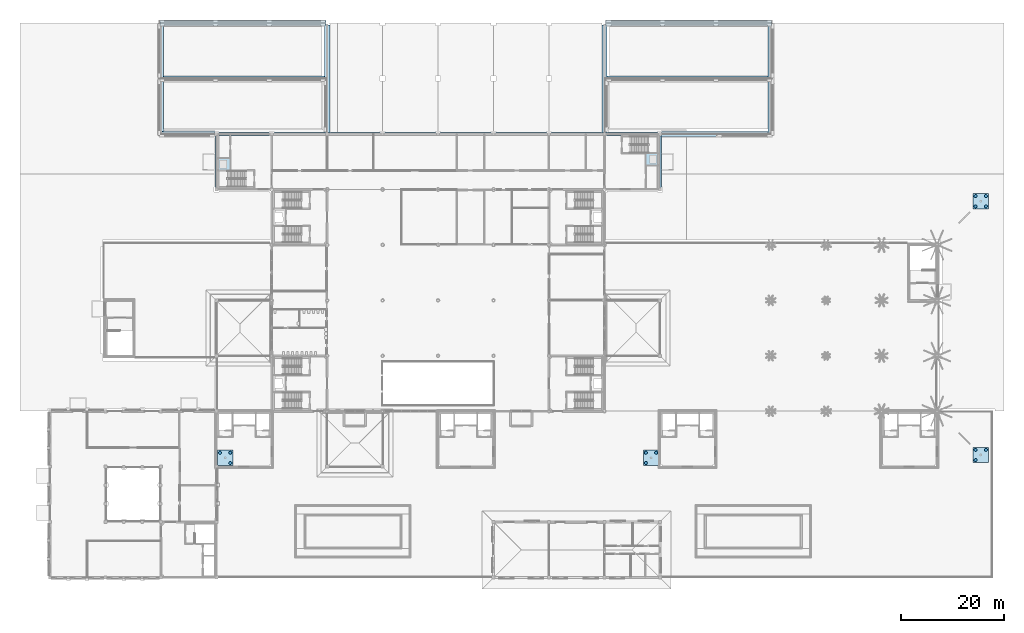
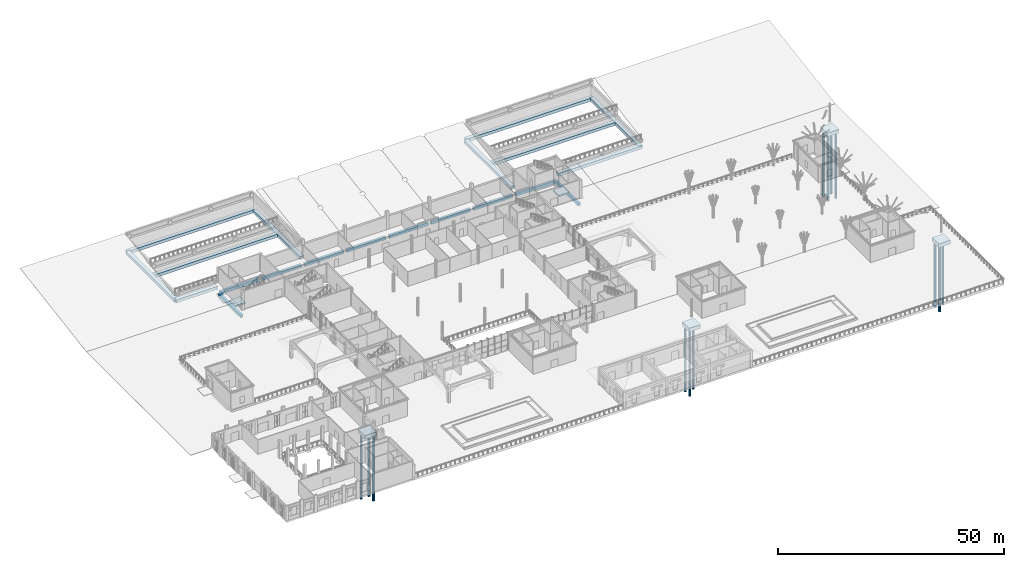
# One storey, part 1 of 91: 26 footings, 13 piles.
"""IFC4 building model written with IfcOpenShell, lengths in metres."""

from ifc_helpers import new_model, si_unit, direction, frame, origin, origin_2d, place, context, subcontext, project, spatial, polyline, rectangle, circle, outline, extrude, material, layer, layer_set, material_profile, profile_set, type_object, element, save


model = new_model("IFC4")

# Units and contexts
model_context = context("Model", 3, precision=1e-05, world=origin(), true_north=direction((0.0, 1.0)))
body_context = subcontext(model_context, "Body", "Model", "MODEL_VIEW")
ifc_project = project(units=[si_unit("LENGTHUNIT", "METRE"), si_unit("AREAUNIT", "SQUARE_METRE"), si_unit("VOLUMEUNIT", "CUBIC_METRE"), si_unit("PLANEANGLEUNIT", "RADIAN"), si_unit("MASSUNIT", "GRAM", prefix="KILO")], contexts=[model_context])

# Site, building, storey
site_placement = place(None, origin())
site = spatial("IfcSite", under=ifc_project, at=site_placement, CompositionType="ELEMENT")
building_placement = place(site_placement, origin())
building = spatial("IfcBuilding", under=site, at=building_placement, Name="Magnolia Steps Interchange", CompositionType="ELEMENT")
storey_placement = place(building_placement, origin())
storey = spatial("IfcBuildingStorey", under=building, at=storey_placement, Name="L00", CompositionType="ELEMENT", Elevation=0.0)

# Piles
ifc_material_1 = material(Name="Concrete C35", Category="concrete")
ifc_material_profile_1 = material_profile(ifc_material_1, circle(Radius=0.300048828125, at=origin_2d()), Name="Bored pile 600")
ifc_profile_set_1 = profile_set([ifc_material_profile_1], Name="Concrete C35")
pile_type = type_object("IfcPileType", Name="Bored pile 600", PredefinedType="BORED", material=ifc_profile_set_1)
for number, where, z_axis, x_axis, name in (
    (1, (45.11376953125, 32.313720703125, -2.699951171875), (0.0, 0.0, -1.0), (1.0, 0.0, 0.0), "Bored pile PROP-SP-H-SW-2"),
    (2, (45.11376953125, 34.313720703125, -2.699951171875), (0.0, 0.0, -1.0), (1.0, 0.0, 0.0), "Bored pile PROP-SP-H-SW-3"),
    (3, (43.11376953125, 34.313720703125, -2.699951171875), (0.0, 0.0, -1.0), (1.0, 0.0, 0.0), "Bored pile PROP-SP-H-SW-4"),
    (4, (126.086181640625, 32.313720703125, -2.699951171875), (0.0, 0.0, -1.0), (1.0, 0.0, 0.0), "Bored pile PROP-SP-H-SE-1"),
    (5, (128.086181640625, 34.313720703125, -2.699951171875), (0.0, 0.0, -1.0), (1.0, 0.0, 0.0), "Bored pile PROP-SP-H-SE-3"),
    (6, (126.086181640625, 34.313720703125, -2.699951171875), (0.0, 0.0, -1.0), (1.0, 0.0, 0.0), "Bored pile PROP-SP-H-SE-4"),
    (7, (190.320556640625, 32.87939453125, -2.699951171875), (0.0, 0.0, -1.0), (1.0, 0.0, 0.0), "Bored pile PROP-SP-C-SE-1"),
    (8, (192.320556640625, 34.87939453125, -2.699951171875), (0.0, 0.0, -1.0), (1.0, 0.0, 0.0), "Bored pile PROP-SP-C-SE-3"),
    (9, (190.320556640625, 34.87939453125, -2.699951171875), (0.0, 0.0, -1.0), (1.0, 0.0, 0.0), "Bored pile PROP-SP-C-SE-4"),
    (10, (190.320556640625, 82.320556640625, -2.699951171875), (0.0, 0.0, -1.0), (1.0, 0.0, 0.0), "Bored pile PROP-SP-C-NE-1"),
    (11, (192.320556640625, 82.320556640625, -2.699951171875), (0.0, 0.0, -1.0), (1.0, 0.0, 0.0), "Bored pile PROP-SP-C-NE-2"),
    (12, (192.320556640625, 84.320556640625, -2.699951171875), (0.0, 0.0, -1.0), (1.0, 0.0, 0.0), "Bored pile PROP-SP-C-NE-3"),
    (13, (190.320556640625, 84.320556640625, -2.699951171875), (0.0, 0.0, -1.0), (1.0, 0.0, 0.0), "Bored pile PROP-SP-C-NE-4"),
):
    element("IfcPile", number, at=place(storey_placement, frame(where, z_axis=z_axis, x_axis=x_axis)), inside=storey, type_object=pile_type, Name=name, PredefinedType="BORED", context=body_context, shape_type="SweptSolid", body=[
        extrude(circle(Radius=0.300048828125, at=origin_2d()), origin(), (0.0, 0.0, 1.0), 17.800048828125),
    ])

# Footings
ifc_material_2 = material(Name="Concrete C40", Category="concrete")
ifc_material_profile_2 = material_profile(ifc_material_2, rectangle(XDim=1.0, YDim=0.800048828125, at=origin_2d()), Name="RC1000x800")
ifc_profile_set_2 = profile_set([ifc_material_profile_2], Name="Concrete C40")
footing_type_1 = type_object("IfcFootingType", Name="Ground beam 1000 x 800", PredefinedType="FOOTING_BEAM", material=ifc_profile_set_2)
for number, where, z_axis, x_axis, name in (
    (14, (64.0, 96.699951171875, -0.39990234375), (0.0, 1.0, 0.0), (-1.0, 0.0, 0.0), "Terrace wall strip footing"),
    (15, (118.0, 96.699951171875, -0.39990234375), (0.0, 1.0, 0.0), (-1.0, 0.0, 0.0), "Terrace wall strip footing"),
):
    element("IfcFooting", number, at=place(storey_placement, frame(where, z_axis=z_axis, x_axis=x_axis)), inside=storey, type_object=footing_type_1, Name=name, PredefinedType="FOOTING_BEAM", context=body_context, shape_type="SweptSolid", body=[
        extrude(rectangle(XDim=1.0, YDim=0.800048828125, at=origin_2d()), origin(), (0.0, 0.0, 1.0), 20.900146484375),
    ])
footing_1_placement = place(storey_placement, frame((31.39990234375, 96.39990234375, -0.39990234375), z_axis=(1.0, 0.0, 0.0), x_axis=(0.0, 1.0, 0.0)))
element("IfcFooting", 16, at=footing_1_placement, inside=storey, type_object=footing_type_1, Name="Terrace wall W 1 strip footing", PredefinedType="FOOTING_BEAM", context=body_context, shape_type="SweptSolid", body=[
    extrude(rectangle(XDim=1.0, YDim=0.800048828125, at=origin_2d()), origin(), (0.0, 0.0, 1.0), 10.7001953125),
])
for number, where, z_axis, x_axis, name in (
    (17, (31.39990234375, 107.199951171875, -0.39990234375), (1.0, 0.0, 0.0), (0.0, 1.0, 0.0), "Terrace wall W 2 strip footing"),
    (18, (31.39990234375, 118.0, -0.39990234375), (1.0, 0.0, 0.0), (0.0, 1.0, 0.0), "Terrace wall W 3 strip footing"),
):
    element("IfcFooting", number, at=place(storey_placement, frame(where, z_axis=z_axis, x_axis=x_axis)), inside=storey, type_object=footing_type_1, Name=name, PredefinedType="FOOTING_BEAM", context=body_context, shape_type="SweptSolid", body=[
        extrude(rectangle(XDim=1.0, YDim=0.800048828125, at=origin_2d()), origin(), (0.0, 0.0, 1.0), 32.400146484375),
    ])
footing_2_placement = place(storey_placement, frame((31.60009765625, 96.199951171875, -0.39990234375), z_axis=(0.0, 1.0, 0.0), x_axis=(-1.0, 0.0, 0.0)))
element("IfcFooting", 19, at=footing_2_placement, inside=storey, type_object=footing_type_1, Name="Terrace end wall W strip footing", PredefinedType="FOOTING_BEAM", context=body_context, shape_type="SweptSolid", body=[
    extrude(rectangle(XDim=1.0, YDim=0.800048828125, at=origin_2d()), origin(), (0.0, 0.0, 1.0), 21.60009765625),
])
footing_3_placement = place(storey_placement, frame((150.60009765625, 96.39990234375, -0.39990234375), z_axis=(-1.0, 0.0, 0.0), x_axis=(0.0, -1.0, 0.0)))
element("IfcFooting", 20, at=footing_3_placement, inside=storey, type_object=footing_type_1, Name="Terrace wall E 1 strip footing", PredefinedType="FOOTING_BEAM", context=body_context, shape_type="SweptSolid", body=[
    extrude(rectangle(XDim=1.0, YDim=0.800048828125, at=origin_2d()), origin(), (0.0, 0.0, 1.0), 21.5),
])
for number, where, z_axis, x_axis, name in (
    (21, (150.60009765625, 107.199951171875, -0.39990234375), (-1.0, 0.0, 0.0), (0.0, -1.0, 0.0), "Terrace wall E 2 strip footing"),
    (22, (150.60009765625, 118.0, -0.39990234375), (-1.0, 0.0, 0.0), (0.0, -1.0, 0.0), "Terrace wall E 3 strip footing"),
):
    element("IfcFooting", number, at=place(storey_placement, frame(where, z_axis=z_axis, x_axis=x_axis)), inside=storey, type_object=footing_type_1, Name=name, PredefinedType="FOOTING_BEAM", context=body_context, shape_type="SweptSolid", body=[
        extrude(rectangle(XDim=1.0, YDim=0.800048828125, at=origin_2d()), origin(), (0.0, 0.0, 1.0), 32.400146484375),
    ])
footing_4_placement = place(storey_placement, frame((150.39990234375, 96.199951171875, -0.39990234375), z_axis=(0.0, 1.0, 0.0), x_axis=(-1.0, 0.0, 0.0)))
element("IfcFooting", 23, at=footing_4_placement, inside=storey, type_object=footing_type_1, Name="Terrace end wall E strip footing", PredefinedType="FOOTING_BEAM", context=body_context, shape_type="SweptSolid", body=[
    extrude(rectangle(XDim=1.0, YDim=0.800048828125, at=origin_2d()), origin(), (0.0, 0.0, 1.0), 21.60009765625),
])
ifc_material_3 = material(Name="Concrete C40", Category="concrete")
ifc_material_profile_3 = material_profile(ifc_material_3, rectangle(XDim=0.60009765625, YDim=0.800048828125, at=origin_2d()), Name="RC600x800")
ifc_profile_set_3 = profile_set([ifc_material_profile_3], Name="Concrete C40")
footing_type_2 = type_object("IfcFootingType", Name="Ground beam 600 x 800", PredefinedType="FOOTING_BEAM", material=ifc_profile_set_3)
for number, where, z_axis, x_axis, name in (
    (24, (42.800048828125, 96.39990234375, -2.199951171875), (1.0, 0.0, 0.0), (0.0, 1.0, 0.0), "Ground beam"),
    (25, (53.60009765625, 96.39990234375, -2.199951171875), (1.0, 0.0, 0.0), (0.0, 1.0, 0.0), "Ground beam"),
    (26, (64.39990234375, 96.39990234375, -2.199951171875), (1.0, 0.0, 0.0), (0.0, 1.0, 0.0), "Ground beam"),
    (27, (75.199951171875, 96.39990234375, -2.199951171875), (1.0, 0.0, 0.0), (0.0, 1.0, 0.0), "Ground beam"),
    (28, (86.0, 96.39990234375, -2.199951171875), (1.0, 0.0, 0.0), (0.0, 1.0, 0.0), "Ground beam"),
    (29, (96.800048828125, 96.39990234375, -2.199951171875), (1.0, 0.0, 0.0), (0.0, 1.0, 0.0), "Ground beam"),
    (30, (107.60009765625, 96.39990234375, -2.199951171875), (1.0, 0.0, 0.0), (0.0, 1.0, 0.0), "Ground beam"),
    (31, (118.39990234375, 96.39990234375, -2.199951171875), (1.0, 0.0, 0.0), (0.0, 1.0, 0.0), "Ground beam"),
    (32, (42.39990234375, 86.0, -2.199951171875), (0.0, 1.0, 0.0), (-1.0, 0.0, 0.0), "Ground beam"),
    (33, (128.800048828125, 86.0, -2.199951171875), (0.0, 1.0, 0.0), (-1.0, 0.0, 0.0), "Ground beam"),
):
    element("IfcFooting", number, at=place(storey_placement, frame(where, z_axis=z_axis, x_axis=x_axis)), inside=storey, type_object=footing_type_2, Name=name, PredefinedType="FOOTING_BEAM", context=body_context, shape_type="SweptSolid", body=[
        extrude(rectangle(XDim=0.60009765625, YDim=0.800048828125, at=origin_2d()), origin(), (0.0, 0.0, 1.0), 10.0),
    ])
ifc_material_4 = material(Name="Concrete C40", Category="concrete")
ifc_layer = layer(ifc_material_4, 0.39990234375)
ifc_layer_set = layer_set([ifc_layer], Name="Lift pit foundation 400")
footing_type_3 = type_object("IfcFootingType", Name="Lift pit foundation 400", PredefinedType="PAD_FOOTING", material=ifc_layer_set)
footing_5_placement = place(storey_placement, frame((0.0, 0.0, -1.800048828125)))
element("IfcFooting", 34, at=footing_5_placement, inside=storey, type_object=footing_type_3, Name="Lift pit foundation WC-E", PredefinedType="PAD_FOOTING", context=body_context, shape_type="SweptSolid", body=[
    extrude(outline(polyline([(125.949951171875, 92.800048828125), (125.949951171875, 90.199951171875), (128.550048828125, 90.199951171875), (128.550048828125, 92.800048828125), (125.949951171875, 92.800048828125)])), origin(), (0.0, 0.0, 1.0), 0.400146484375),
])
footing_6_placement = place(storey_placement, frame((0.0, 0.0, -1.800048828125)))
element("IfcFooting", 35, at=footing_6_placement, inside=storey, type_object=footing_type_3, Name="Lift pit foundation WC-W", PredefinedType="PAD_FOOTING", context=body_context, shape_type="SweptSolid", body=[
    extrude(outline(polyline([(45.25, 89.199951171875), (45.25, 91.800048828125), (42.64990234375, 91.800048828125), (42.64990234375, 89.199951171875), (45.25, 89.199951171875)])), origin(), (0.0, 0.0, 1.0), 0.400146484375),
])
ifc_material_5 = material(Name="Concrete C40", Category="concrete")
footing_type_4 = type_object("IfcFootingType", Name="Pile cap 3000 x 3000 x 1000", PredefinedType="PILE_CAP", material=ifc_material_5)
for number, where, z_axis, x_axis, name in (
    (36, (44.11376953125, 33.313720703125, -2.800048828125), (0.0, 0.0, 1.0), (1.0, 0.0, 0.0), "Pile cap PROP-SP-H-SW"),
    (37, (127.08642578125, 33.313720703125, -2.800048828125), (0.0, 0.0, 1.0), (1.0, 0.0, 0.0), "Pile cap PROP-SP-H-SE"),
    (38, (191.320556640625, 33.87939453125, -2.800048828125), (0.0, 0.0, 1.0), (1.0, 0.0, 0.0), "Pile cap PROP-SP-C-SE"),
    (39, (191.320556640625, 83.320556640625, -2.800048828125), (0.0, 0.0, 1.0), (1.0, 0.0, 0.0), "Pile cap PROP-SP-C-NE"),
):
    element("IfcFooting", number, at=place(storey_placement, frame(where, z_axis=z_axis, x_axis=x_axis)), inside=storey, type_object=footing_type_4, Name=name, PredefinedType="PILE_CAP", context=body_context, shape_type="SweptSolid", body=[
        extrude(rectangle(XDim=3.0, YDim=3.0, at=origin_2d()), origin(), (0.0, 0.0, 1.0), 1.0),
    ])

save(model, "model.ifc")
